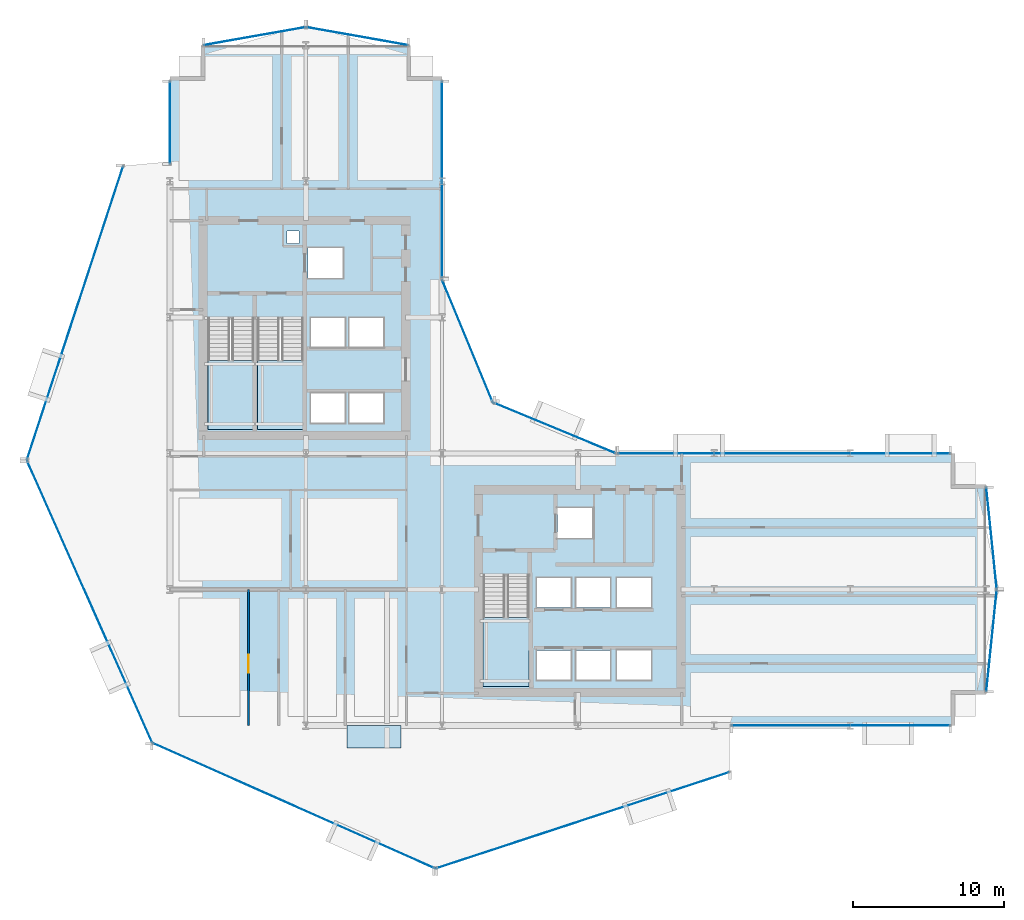
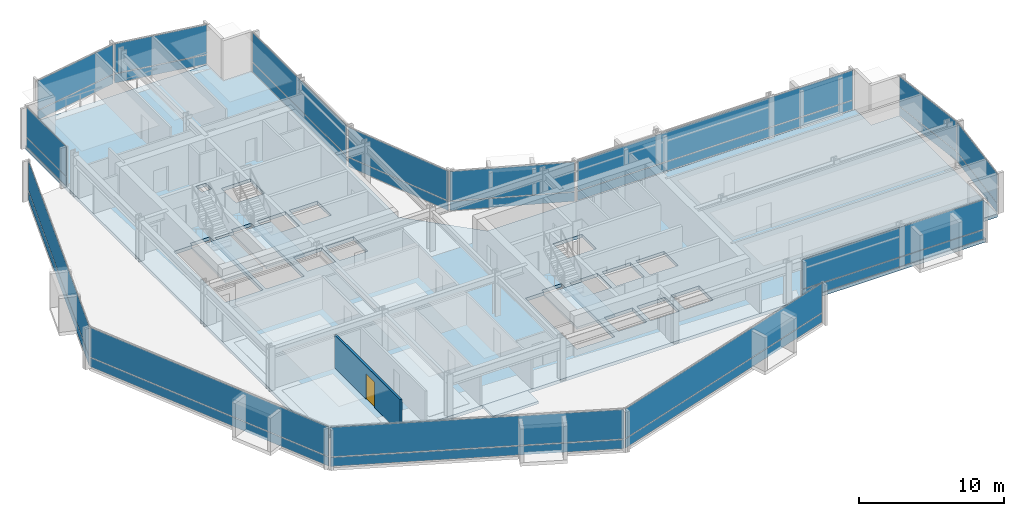
# One storey, part 26 of 34: 28 plates, 5 slabs, 1 door, 1 wall, 1 opening, 17 elements without a shape of their own.
"""IFC4 building model written with IfcOpenShell, lengths in metres."""

from ifc_helpers import new_model, si_unit, direction, frame, frame_2d, origin, origin_2d, place, context, subcontext, project, spatial, polyline, rectangle, outline, extrude, material, layer, layer_set, type_object, element, fill, aggregate, save


model = new_model("IFC4")

# Units and contexts
model_context = context("Model", 3, precision=1e-05, world=origin(), true_north=direction((0.0, 1.0)))
body_context = subcontext(model_context, "Body", "Model", "MODEL_VIEW")
ifc_project = project(units=[si_unit("LENGTHUNIT", "METRE"), si_unit("AREAUNIT", "SQUARE_METRE"), si_unit("VOLUMEUNIT", "CUBIC_METRE"), si_unit("PLANEANGLEUNIT", "RADIAN"), si_unit("MASSUNIT", "GRAM", prefix="KILO")], contexts=[model_context])

# Site, building, storey
site_placement = place(None, origin())
site = spatial("IfcSite", under=ifc_project, at=site_placement, CompositionType="ELEMENT")
building_placement = place(site_placement, origin())
building = spatial("IfcBuilding", under=site, at=building_placement, Name="Solvaryn Broadcast Tower", CompositionType="ELEMENT")
storey_placement = place(building_placement, frame((0.0, 0.0, 47.10009765625)))
storey = spatial("IfcBuildingStorey", under=building, at=storey_placement, Name="L10", CompositionType="ELEMENT", Elevation=47.10009765625)

# Curtain wall, plates
ifc_material_1 = material(Name="Aluminium and Terracotta Unitised Curtain Wall", Category="masonry")
ifc_layer_1 = layer(ifc_material_1, 0.199951171875)
ifc_layer_set_1 = layer_set([ifc_layer_1], Name="CW-SYS2-LOWMID")
curtain_wall_type_1 = type_object("IfcCurtainWallType", Name="CW-SYS2-LOWMID", PredefinedType="NOTDEFINED", material=ifc_layer_set_1)
curtain_wall_1_placement = place(storey_placement, origin())
curtain_wall_1 = element("IfcCurtainWall", 1, at=curtain_wall_1_placement, inside=storey, type_object=curtain_wall_type_1, Name="L10 Curtain Wall DR1", PredefinedType="NOTDEFINED")
ifc_material_2 = material(Name="Kiln-Fired Architectural Terracotta Spandrel", Category="masonry")
ifc_layer_2 = layer(ifc_material_2, 0.048095703125)
ifc_layer_set_2 = layer_set([ifc_layer_2], Name="CW-PNL-TERRACOTTA")
plate_type = type_object("IfcPlateType", Name="CW-PNL-TERRACOTTA", PredefinedType="CURTAIN_PANEL", material=ifc_layer_set_2)
plate_1_placement = place(storey_placement, frame((2.72607421875, 36.2880859375, 0.06005859375), z_axis=(0.0, 0.0, 1.0), x_axis=(-0.311594044587, -0.950215318429, 0.0)))
plate_1 = element("IfcPlate", 2, at=plate_1_placement, type_object=plate_type, Name="CWS2 panel 1.1", PredefinedType="CURTAIN_PANEL", context=body_context, shape_type="SweptSolid", body=[
    extrude(rectangle(XDim=20.35546875, YDim=0.028076171875, at=origin_2d()), origin(), (0.0, 0.0, 1.0), 0.760009765625),
])
plate_2_placement = place(storey_placement, frame((2.72607421875, 36.2880859375, 0.8798828125), z_axis=(0.0, 0.0, 1.0), x_axis=(-0.311594044587, -0.950215318429, 0.0)))
plate_2 = element("IfcPlate", 3, at=plate_2_placement, type_object=plate_type, Name="CWS2 panel 1.2", PredefinedType="CURTAIN_PANEL", context=body_context, shape_type="SweptSolid", body=[
    extrude(rectangle(XDim=20.35546875, YDim=0.028076171875, at=origin_2d()), origin(), (0.0, 0.0, 1.0), 2.47998046875),
])
aggregate(curtain_wall_1, [plate_1, plate_2])

ifc_material_3 = material(Name="Aluminium and Terracotta Unitised Curtain Wall", Category="masonry")
ifc_layer_3 = layer(ifc_material_3, 0.239990234375)
ifc_layer_set_3 = layer_set([ifc_layer_3], Name="CW-SYS3-BAYBOX")
curtain_wall_type_2 = type_object("IfcCurtainWallType", Name="CW-SYS3-BAYBOX", PredefinedType="NOTDEFINED", material=ifc_layer_set_3)
curtain_wall_2_placement = place(storey_placement, origin())
curtain_wall_2 = element("IfcCurtainWall", 4, at=curtain_wall_2_placement, inside=storey, type_object=curtain_wall_type_2, Name="L10 Curtain Wall DR2", PredefinedType="NOTDEFINED")
plate_3_placement = place(storey_placement, frame((3.69140625, 17.20361328125, 0.06005859375), z_axis=(0.0, 0.0, 1.0), x_axis=(0.405898286554, -0.913918257271, 0.0)))
plate_3 = element("IfcPlate", 5, at=plate_3_placement, type_object=plate_type, Name="CWS3 panel 1.1", PredefinedType="CURTAIN_PANEL", context=body_context, shape_type="SweptSolid", body=[
    extrude(rectangle(XDim=20.35546875, YDim=0.028076171875, at=origin_2d()), origin(), (0.0, 0.0, 1.0), 0.760009765625),
])
plate_4_placement = place(storey_placement, frame((3.69140625, 17.20361328125, 0.8798828125), z_axis=(0.0, 0.0, 1.0), x_axis=(0.405898286554, -0.913918257271, 0.0)))
plate_4 = element("IfcPlate", 6, at=plate_4_placement, type_object=plate_type, Name="CWS3 panel 1.2", PredefinedType="CURTAIN_PANEL", context=body_context, shape_type="SweptSolid", body=[
    extrude(rectangle(XDim=20.35546875, YDim=0.028076171875, at=origin_2d()), origin(), (0.0, 0.0, 1.0), 2.47998046875),
])
aggregate(curtain_wall_2, [plate_3, plate_4])

curtain_wall_3_placement = place(storey_placement, origin())
curtain_wall_3 = element("IfcCurtainWall", 7, at=curtain_wall_3_placement, inside=storey, type_object=curtain_wall_type_1, Name="L10 Curtain Wall DR3", PredefinedType="NOTDEFINED")
plate_5_placement = place(storey_placement, frame((17.20361328125, 3.69140625, 0.06005859375), z_axis=(0.0, 0.0, 1.0), x_axis=(0.913918257271, -0.405898286554, 0.0)))
plate_5 = element("IfcPlate", 8, at=plate_5_placement, type_object=plate_type, Name="CWS2 panel 1.1", PredefinedType="CURTAIN_PANEL", context=body_context, shape_type="SweptSolid", body=[
    extrude(rectangle(XDim=20.35546875, YDim=0.028076171875, at=origin_2d()), origin(), (0.0, 0.0, 1.0), 0.760009765625),
])
plate_6_placement = place(storey_placement, frame((17.20361328125, 3.69140625, 0.8798828125), z_axis=(0.0, 0.0, 1.0), x_axis=(0.913918257271, -0.405898286554, 0.0)))
plate_6 = element("IfcPlate", 9, at=plate_6_placement, type_object=plate_type, Name="CWS2 panel 1.2", PredefinedType="CURTAIN_PANEL", context=body_context, shape_type="SweptSolid", body=[
    extrude(rectangle(XDim=20.35546875, YDim=0.028076171875, at=origin_2d()), origin(), (0.0, 0.0, 1.0), 2.47998046875),
])
aggregate(curtain_wall_3, [plate_5, plate_6])

curtain_wall_4_placement = place(storey_placement, origin())
curtain_wall_4 = element("IfcCurtainWall", 10, at=curtain_wall_4_placement, inside=storey, type_object=curtain_wall_type_1, Name="L10 Curtain Wall DR4", PredefinedType="NOTDEFINED")
plate_7_placement = place(storey_placement, frame((36.2880859375, 2.72607421875, 0.06005859375), z_axis=(0.0, 0.0, 1.0), x_axis=(0.950215318429, 0.311594044587, 0.0)))
plate_7 = element("IfcPlate", 11, at=plate_7_placement, type_object=plate_type, Name="CWS2 panel 1.1", PredefinedType="CURTAIN_PANEL", context=body_context, shape_type="SweptSolid", body=[
    extrude(rectangle(XDim=20.35546875, YDim=0.028076171875, at=origin_2d()), origin(), (0.0, 0.0, 1.0), 0.760009765625),
])
plate_8_placement = place(storey_placement, frame((36.2880859375, 2.72607421875, 0.8798828125), z_axis=(0.0, 0.0, 1.0), x_axis=(0.950215318429, 0.311594044587, 0.0)))
plate_8 = element("IfcPlate", 12, at=plate_8_placement, type_object=plate_type, Name="CWS2 panel 1.2", PredefinedType="CURTAIN_PANEL", context=body_context, shape_type="SweptSolid", body=[
    extrude(rectangle(XDim=20.35546875, YDim=0.028076171875, at=origin_2d()), origin(), (0.0, 0.0, 1.0), 2.47998046875),
])
aggregate(curtain_wall_4, [plate_7, plate_8])

curtain_wall_5_placement = place(storey_placement, origin())
curtain_wall_5 = element("IfcCurtainWall", 13, at=curtain_wall_5_placement, inside=storey, type_object=curtain_wall_type_1, Name="L10 Curtain Wall W2", PredefinedType="NOTDEFINED")
plate_9_placement = place(storey_placement, frame((9.0, 48.883056640625, 0.06005859375), z_axis=(0.0, 0.0, 1.0), x_axis=(0.0, 1.0, 0.0)))
plate_9 = element("IfcPlate", 14, at=plate_9_placement, type_object=plate_type, Name="CWS2 panel 1.1", PredefinedType="CURTAIN_PANEL", context=body_context, shape_type="SweptSolid", body=[
    extrude(rectangle(XDim=5.4140625, YDim=0.028076171875, at=origin_2d()), origin(), (0.0, 0.0, 1.0), 0.760009765625),
])
plate_10_placement = place(storey_placement, frame((9.0, 48.883056640625, 0.8798828125), z_axis=(0.0, 0.0, 1.0), x_axis=(0.0, 1.0, 0.0)))
plate_10 = element("IfcPlate", 15, at=plate_10_placement, type_object=plate_type, Name="CWS2 panel 1.2", PredefinedType="CURTAIN_PANEL", context=body_context, shape_type="SweptSolid", body=[
    extrude(rectangle(XDim=5.4140625, YDim=0.028076171875, at=origin_2d()), origin(), (0.0, 0.0, 1.0), 2.47998046875),
])
aggregate(curtain_wall_5, [plate_9, plate_10])

curtain_wall_6_placement = place(storey_placement, origin())
curtain_wall_6 = element("IfcCurtainWall", 16, at=curtain_wall_6_placement, inside=storey, type_object=curtain_wall_type_1, Name="L10 Curtain Wall IV", PredefinedType="NOTDEFINED")
plate_11_placement = place(storey_placement, frame((27.0, 45.125, 0.06005859375), z_axis=(0.0, 0.0, 1.0), x_axis=(0.0, -1.0, 0.0)))
plate_11 = element("IfcPlate", 17, at=plate_11_placement, type_object=plate_type, Name="CWS2 panel 1.1", PredefinedType="CURTAIN_PANEL", context=body_context, shape_type="SweptSolid", body=[
    extrude(rectangle(XDim=12.929931640625, YDim=0.028076171875, at=origin_2d()), origin(), (0.0, 0.0, 1.0), 0.760009765625),
])
plate_12_placement = place(storey_placement, frame((27.0, 45.125, 0.8798828125), z_axis=(0.0, 0.0, 1.0), x_axis=(0.0, -1.0, 0.0)))
plate_12 = element("IfcPlate", 18, at=plate_12_placement, type_object=plate_type, Name="CWS2 panel 1.2", PredefinedType="CURTAIN_PANEL", context=body_context, shape_type="SweptSolid", body=[
    extrude(rectangle(XDim=12.929931640625, YDim=0.028076171875, at=origin_2d()), origin(), (0.0, 0.0, 1.0), 2.47998046875),
])
aggregate(curtain_wall_6, [plate_11, plate_12])

curtain_wall_7_placement = place(storey_placement, origin())
curtain_wall_7 = element("IfcCurtainWall", 19, at=curtain_wall_7_placement, inside=storey, type_object=curtain_wall_type_1, Name="L10 Curtain Wall CN1", PredefinedType="NOTDEFINED")
plate_13_placement = place(storey_placement, frame((34.43408203125, 28.68408203125, 0.06005859375), z_axis=(0.0, 0.0, 1.0), x_axis=(-0.923894983957, 0.382646127145, 0.0)))
plate_13 = element("IfcPlate", 20, at=plate_13_placement, type_object=plate_type, Name="CWS2 panel 1.1", PredefinedType="CURTAIN_PANEL", context=body_context, shape_type="SweptSolid", body=[
    extrude(rectangle(XDim=8.681884765625, YDim=0.028076171875, at=origin_2d()), origin(), (0.0, 0.0, 1.0), 0.760009765625),
])
plate_14_placement = place(storey_placement, frame((34.43408203125, 28.68408203125, 0.8798828125), z_axis=(0.0, 0.0, 1.0), x_axis=(-0.923894983957, 0.382646127145, 0.0)))
plate_14 = element("IfcPlate", 21, at=plate_14_placement, type_object=plate_type, Name="CWS2 panel 1.2", PredefinedType="CURTAIN_PANEL", context=body_context, shape_type="SweptSolid", body=[
    extrude(rectangle(XDim=8.681884765625, YDim=0.028076171875, at=origin_2d()), origin(), (0.0, 0.0, 1.0), 2.47998046875),
])
aggregate(curtain_wall_7, [plate_13, plate_14])

curtain_wall_8_placement = place(storey_placement, origin())
curtain_wall_8 = element("IfcCurtainWall", 22, at=curtain_wall_8_placement, inside=storey, type_object=curtain_wall_type_1, Name="L10 Curtain Wall CN2", PredefinedType="NOTDEFINED")
plate_15_placement = place(storey_placement, frame((28.68408203125, 34.43408203125, 0.06005859375), z_axis=(0.0, 0.0, 1.0), x_axis=(-0.382646127145, 0.923894983957, 0.0)))
plate_15 = element("IfcPlate", 23, at=plate_15_placement, type_object=plate_type, Name="CWS2 panel 1.1", PredefinedType="CURTAIN_PANEL", context=body_context, shape_type="SweptSolid", body=[
    extrude(rectangle(XDim=8.681884765625, YDim=0.028076171875, at=origin_2d()), origin(), (0.0, 0.0, 1.0), 0.760009765625),
])
plate_16_placement = place(storey_placement, frame((28.68408203125, 34.43408203125, 0.8798828125), z_axis=(0.0, 0.0, 1.0), x_axis=(-0.382646127145, 0.923894983957, 0.0)))
plate_16 = element("IfcPlate", 24, at=plate_16_placement, type_object=plate_type, Name="CWS2 panel 1.2", PredefinedType="CURTAIN_PANEL", context=body_context, shape_type="SweptSolid", body=[
    extrude(rectangle(XDim=8.681884765625, YDim=0.028076171875, at=origin_2d()), origin(), (0.0, 0.0, 1.0), 2.47998046875),
])
aggregate(curtain_wall_8, [plate_15, plate_16])

curtain_wall_9_placement = place(storey_placement, origin())
curtain_wall_9 = element("IfcCurtainWall", 25, at=curtain_wall_9_placement, inside=storey, type_object=curtain_wall_type_1, Name="L10 Curtain Wall S2", PredefinedType="NOTDEFINED")
plate_17_placement = place(storey_placement, frame((53.383056640625, 9.0, 0.06005859375), z_axis=(0.0, 0.0, 1.0), x_axis=(1.0, 0.0, 0.0)))
plate_17 = element("IfcPlate", 26, at=plate_17_placement, type_object=plate_type, Name="CWS2 panel 1.1", PredefinedType="CURTAIN_PANEL", context=body_context, shape_type="SweptSolid", body=[
    extrude(rectangle(XDim=14.4140625, YDim=0.028076171875, at=origin_2d()), origin(), (0.0, 0.0, 1.0), 0.760009765625),
])
plate_18_placement = place(storey_placement, frame((53.383056640625, 9.0, 0.8798828125), z_axis=(0.0, 0.0, 1.0), x_axis=(1.0, 0.0, 0.0)))
plate_18 = element("IfcPlate", 27, at=plate_18_placement, type_object=plate_type, Name="CWS2 panel 1.2", PredefinedType="CURTAIN_PANEL", context=body_context, shape_type="SweptSolid", body=[
    extrude(rectangle(XDim=14.4140625, YDim=0.028076171875, at=origin_2d()), origin(), (0.0, 0.0, 1.0), 2.47998046875),
])
aggregate(curtain_wall_9, [plate_17, plate_18])

curtain_wall_10_placement = place(storey_placement, origin())
curtain_wall_10 = element("IfcCurtainWall", 28, at=curtain_wall_10_placement, inside=storey, type_object=curtain_wall_type_1, Name="L10 Curtain Wall NT1", PredefinedType="NOTDEFINED")
plate_19_placement = place(storey_placement, frame((21.39990234375, 54.60009765625, 0.06005859375), z_axis=(0.0, 0.0, 1.0), x_axis=(-0.984783558819, 0.173785333901, 0.0)))
plate_19 = element("IfcPlate", 29, at=plate_19_placement, type_object=plate_type, Name="CWS2 panel 1.1", PredefinedType="CURTAIN_PANEL", context=body_context, shape_type="SweptSolid", body=[
    extrude(rectangle(XDim=6.78515625, YDim=0.028076171875, at=origin_2d()), origin(), (0.0, 0.0, 1.0), 0.760009765625),
])
plate_20_placement = place(storey_placement, frame((21.39990234375, 54.60009765625, 0.8798828125), z_axis=(0.0, 0.0, 1.0), x_axis=(-0.984783558819, 0.173785333901, 0.0)))
plate_20 = element("IfcPlate", 30, at=plate_20_placement, type_object=plate_type, Name="CWS2 panel 1.2", PredefinedType="CURTAIN_PANEL", context=body_context, shape_type="SweptSolid", body=[
    extrude(rectangle(XDim=6.78515625, YDim=0.028076171875, at=origin_2d()), origin(), (0.0, 0.0, 1.0), 2.47998046875),
])
aggregate(curtain_wall_10, [plate_19, plate_20])

curtain_wall_11_placement = place(storey_placement, origin())
curtain_wall_11 = element("IfcCurtainWall", 31, at=curtain_wall_11_placement, inside=storey, type_object=curtain_wall_type_1, Name="L10 Curtain Wall NT2", PredefinedType="NOTDEFINED")
plate_21_placement = place(storey_placement, frame((14.60009765625, 54.60009765625, 0.06005859375), z_axis=(0.0, 0.0, 1.0), x_axis=(-0.984783558819, -0.173785333901, 0.0)))
plate_21 = element("IfcPlate", 32, at=plate_21_placement, type_object=plate_type, Name="CWS2 panel 1.1", PredefinedType="CURTAIN_PANEL", context=body_context, shape_type="SweptSolid", body=[
    extrude(rectangle(XDim=6.78515625, YDim=0.028076171875, at=origin_2d()), origin(), (0.0, 0.0, 1.0), 0.760009765625),
])
plate_22_placement = place(storey_placement, frame((14.60009765625, 54.60009765625, 0.8798828125), z_axis=(0.0, 0.0, 1.0), x_axis=(-0.984783558819, -0.173785333901, 0.0)))
plate_22 = element("IfcPlate", 33, at=plate_22_placement, type_object=plate_type, Name="CWS2 panel 1.2", PredefinedType="CURTAIN_PANEL", context=body_context, shape_type="SweptSolid", body=[
    extrude(rectangle(XDim=6.78515625, YDim=0.028076171875, at=origin_2d()), origin(), (0.0, 0.0, 1.0), 2.47998046875),
])
aggregate(curtain_wall_11, [plate_21, plate_22])

curtain_wall_12_placement = place(storey_placement, origin())
curtain_wall_12 = element("IfcCurtainWall", 34, at=curtain_wall_12_placement, inside=storey, type_object=curtain_wall_type_1, Name="L10 Curtain Wall ET1", PredefinedType="NOTDEFINED")
plate_23_placement = place(storey_placement, frame((63.35009765625, 21.39990234375, 0.06005859375), z_axis=(0.0, 0.0, 1.0), x_axis=(0.10240004548, -0.99474329889, 0.0)))
plate_23 = element("IfcPlate", 35, at=plate_23_placement, type_object=plate_type, Name="CWS2 panel 1.1", PredefinedType="CURTAIN_PANEL", context=body_context, shape_type="SweptSolid", body=[
    extrude(rectangle(XDim=6.7158203125, YDim=0.028076171875, at=origin_2d()), origin(), (0.0, 0.0, 1.0), 0.760009765625),
])
plate_24_placement = place(storey_placement, frame((63.35009765625, 21.39990234375, 0.8798828125), z_axis=(0.0, 0.0, 1.0), x_axis=(0.10240004548, -0.99474329889, 0.0)))
plate_24 = element("IfcPlate", 36, at=plate_24_placement, type_object=plate_type, Name="CWS2 panel 1.2", PredefinedType="CURTAIN_PANEL", context=body_context, shape_type="SweptSolid", body=[
    extrude(rectangle(XDim=6.7158203125, YDim=0.028076171875, at=origin_2d()), origin(), (0.0, 0.0, 1.0), 2.47998046875),
])
aggregate(curtain_wall_12, [plate_23, plate_24])

curtain_wall_13_placement = place(storey_placement, origin())
curtain_wall_13 = element("IfcCurtainWall", 37, at=curtain_wall_13_placement, inside=storey, type_object=curtain_wall_type_1, Name="L10 Curtain Wall ET2", PredefinedType="NOTDEFINED")
plate_25_placement = place(storey_placement, frame((63.35009765625, 14.60009765625, 0.06005859375), z_axis=(0.0, 0.0, 1.0), x_axis=(-0.10240004548, -0.99474329889, 0.0)))
plate_25 = element("IfcPlate", 38, at=plate_25_placement, type_object=plate_type, Name="CWS2 panel 1.1", PredefinedType="CURTAIN_PANEL", context=body_context, shape_type="SweptSolid", body=[
    extrude(rectangle(XDim=6.7158203125, YDim=0.028076171875, at=origin_2d()), origin(), (0.0, 0.0, 1.0), 0.760009765625),
])
plate_26_placement = place(storey_placement, frame((63.35009765625, 14.60009765625, 0.8798828125), z_axis=(0.0, 0.0, 1.0), x_axis=(-0.10240004548, -0.99474329889, 0.0)))
plate_26 = element("IfcPlate", 39, at=plate_26_placement, type_object=plate_type, Name="CWS2 panel 1.2", PredefinedType="CURTAIN_PANEL", context=body_context, shape_type="SweptSolid", body=[
    extrude(rectangle(XDim=6.7158203125, YDim=0.028076171875, at=origin_2d()), origin(), (0.0, 0.0, 1.0), 2.47998046875),
])
aggregate(curtain_wall_13, [plate_25, plate_26])

curtain_wall_14_placement = place(storey_placement, origin())
curtain_wall_14 = element("IfcCurtainWall", 40, at=curtain_wall_14_placement, inside=storey, type_object=curtain_wall_type_1, Name="L10 Curtain Wall IH", PredefinedType="NOTDEFINED")
plate_27_placement = place(storey_placement, frame((49.625, 27.0, 0.06005859375), z_axis=(0.0, 0.0, 1.0), x_axis=(1.0, 0.0, 0.0)))
plate_27 = element("IfcPlate", 41, at=plate_27_placement, type_object=plate_type, Name="CWS2 panel 1.1", PredefinedType="CURTAIN_PANEL", context=body_context, shape_type="SweptSolid", body=[
    extrude(rectangle(XDim=21.929931640625, YDim=0.028076171875, at=origin_2d()), origin(), (0.0, 0.0, 1.0), 0.760009765625),
])
plate_28_placement = place(storey_placement, frame((49.625, 27.0, 0.8798828125), z_axis=(0.0, 0.0, 1.0), x_axis=(1.0, 0.0, 0.0)))
plate_28 = element("IfcPlate", 42, at=plate_28_placement, type_object=plate_type, Name="CWS2 panel 1.2", PredefinedType="CURTAIN_PANEL", context=body_context, shape_type="SweptSolid", body=[
    extrude(rectangle(XDim=21.929931640625, YDim=0.028076171875, at=origin_2d()), origin(), (0.0, 0.0, 1.0), 2.47998046875),
])
aggregate(curtain_wall_14, [plate_27, plate_28])

# Slab
ifc_material_4 = material(Name="Concrete f'c 60 MPa", Category="concrete")
ifc_layer_4 = layer(ifc_material_4, 0.2099609375)
ifc_layer_set_4 = layer_set([ifc_layer_4], Name="SL-BAYBOX-210")
slab_type_1 = type_object("IfcSlabType", Name="SL-BAYBOX-210", PredefinedType="FLOOR", material=ifc_layer_set_4)
slab_1_placement = place(storey_placement, frame((0.0, 0.0, -0.210205078125)))
element("IfcSlab", 43, at=slab_1_placement, inside=storey, type_object=slab_type_1, Name="L10 Projecting Bay-Box Slab 1", PredefinedType="FLOOR", context=body_context, shape_type="SweptSolid", body=[
    extrude(outline(polyline([(20.699951171875, 7.5), (24.300048828125, 7.5), (24.300048828125, 9.0), (20.699951171875, 9.0), (20.699951171875, 7.5)])), origin(), (0.0, 0.0, 1.0), 0.210205078125),
])

# Stair, slab
ifc_material_5 = material(Name="Concrete f'c 60 MPa", Category="concrete")
stair_type = type_object("IfcStairType", Name="ST-CORE", PredefinedType="HALF_TURN_STAIR", material=ifc_material_5)
stair_1_placement = place(storey_placement, origin())
stair_1 = element("IfcStair", 44, at=stair_1_placement, inside=storey, type_object=stair_type, Name="L10 ST1", PredefinedType="HALF_TURN_STAIR")
ifc_material_6 = material(Name="Concrete f'c 60 MPa", Category="concrete")
ifc_layer_5 = layer(ifc_material_6, 0.199951171875)
ifc_layer_set_5 = layer_set([ifc_layer_5], Name="SL-LANDING-200")
slab_type_2 = type_object("IfcSlabType", Name="SL-LANDING-200", PredefinedType="LANDING", material=ifc_layer_set_5)
slab_2_placement = place(storey_placement, frame((0.0, 0.0, 1.64990234375)))
slab_2 = element("IfcSlab", 45, at=slab_2_placement, type_object=slab_type_2, Name="ST1 landing 1", PredefinedType="LANDING", context=body_context, shape_type="SweptSolid", body=[
    extrude(outline(polyline([(11.52001953125, 33.159912109375), (11.52001953125, 28.60009765625), (14.550048828125, 28.60009765625), (14.550048828125, 33.159912109375), (11.52001953125, 33.159912109375)])), origin(), (0.0, 0.0, 1.0), 0.199951171875),
])
aggregate(stair_1, [slab_2])

stair_2_placement = place(storey_placement, origin())
stair_2 = element("IfcStair", 46, at=stair_2_placement, inside=storey, type_object=stair_type, Name="L10 ST2", PredefinedType="HALF_TURN_STAIR")
slab_3_placement = place(storey_placement, frame((0.0, 0.0, 1.64990234375)))
slab_3 = element("IfcSlab", 47, at=slab_3_placement, type_object=slab_type_2, Name="ST2 landing 1", PredefinedType="LANDING", context=body_context, shape_type="SweptSolid", body=[
    extrude(outline(polyline([(14.800048828125, 33.159912109375), (14.800048828125, 28.60009765625), (17.830078125, 28.60009765625), (17.830078125, 33.159912109375), (14.800048828125, 33.159912109375)])), origin(), (0.0, 0.0, 1.0), 0.199951171875),
])
aggregate(stair_2, [slab_3])

stair_3_placement = place(storey_placement, origin())
stair_3 = element("IfcStair", 48, at=stair_3_placement, inside=storey, type_object=stair_type, Name="L10 ST3", PredefinedType="HALF_TURN_STAIR")
slab_4_placement = place(storey_placement, frame((0.0, 0.0, 1.64990234375)))
slab_4 = element("IfcSlab", 49, at=slab_4_placement, type_object=slab_type_2, Name="ST3 landing 1", PredefinedType="LANDING", context=body_context, shape_type="SweptSolid", body=[
    extrude(outline(polyline([(29.719970703125, 16.159912109375), (29.719970703125, 11.60009765625), (32.75, 11.60009765625), (32.75, 16.159912109375), (29.719970703125, 16.159912109375)])), origin(), (0.0, 0.0, 1.0), 0.199951171875),
])
aggregate(stair_3, [slab_4])

# Slab
ifc_material_7 = material(Name="Concrete f'c 60 MPa", Category="concrete")
ifc_layer_6 = layer(ifc_material_7, 0.280029296875)
ifc_layer_set_6 = layer_set([ifc_layer_6], Name="SL-TWR-280")
slab_type_3 = type_object("IfcSlabType", Name="SL-TWR-280", PredefinedType="FLOOR", material=ifc_layer_set_6)
slab_5_placement = place(storey_placement, frame((0.0, 0.0, -0.280029296875)))
element("IfcSlab", 50, at=slab_5_placement, inside=storey, type_object=slab_type_3, Name="L10 Structural Floor Slab", PredefinedType="FLOOR", context=body_context, shape_type="SweptSolid", body=[
    extrude(outline(polyline([(11.199951171875, 9.0), (60.800048828125, 9.0), (60.800048828125, 11.199951171875), (63.0, 11.199951171875), (63.0, 24.800048828125), (60.800048828125, 24.800048828125), (60.800048828125, 27.0), (31.5, 27.0), (27.0, 31.5), (27.0, 51.800048828125), (24.800048828125, 51.800048828125), (24.800048828125, 54.0), (11.199951171875, 54.0), (11.199951171875, 51.800048828125), (9.0, 51.800048828125), (9.0, 11.199951171875), (11.199951171875, 11.199951171875), (11.199951171875, 9.0)]), holes=[polyline([(11.52001953125, 28.60009765625), (14.550048828125, 28.60009765625), (14.550048828125, 35.9599609375), (12.97998046875, 35.9599609375), (12.97998046875, 35.679931640625), (11.52001953125, 35.679931640625), (11.52001953125, 28.60009765625)]), polyline([(14.800048828125, 28.60009765625), (17.830078125, 28.60009765625), (17.830078125, 35.9599609375), (16.260009765625, 35.9599609375), (16.260009765625, 35.679931640625), (14.800048828125, 35.679931640625), (14.800048828125, 28.60009765625)]), polyline([(29.719970703125, 11.60009765625), (32.75, 11.60009765625), (32.75, 18.9599609375), (31.179931640625, 18.9599609375), (31.179931640625, 18.679931640625), (29.719970703125, 18.679931640625), (29.719970703125, 11.60009765625)]), polyline([(18.14990234375, 38.60009765625), (20.449951171875, 38.60009765625), (20.449951171875, 40.60009765625), (18.14990234375, 40.60009765625), (18.14990234375, 38.60009765625)]), polyline([(18.324951171875, 29.02490234375), (20.574951171875, 29.02490234375), (20.574951171875, 30.97509765625), (18.324951171875, 30.97509765625), (18.324951171875, 29.02490234375)]), polyline([(20.875, 29.02490234375), (23.125, 29.02490234375), (23.125, 30.97509765625), (20.875, 30.97509765625), (20.875, 29.02490234375)]), polyline([(18.324951171875, 34.02490234375), (20.574951171875, 34.02490234375), (20.574951171875, 35.97509765625), (18.324951171875, 35.97509765625), (18.324951171875, 34.02490234375)]), polyline([(20.875, 34.02490234375), (23.125, 34.02490234375), (23.125, 35.97509765625), (20.875, 35.97509765625), (20.875, 34.02490234375)]), polyline([(34.64990234375, 21.39990234375), (36.949951171875, 21.39990234375), (36.949951171875, 23.39990234375), (34.64990234375, 23.39990234375), (34.64990234375, 21.39990234375)]), polyline([(33.27490234375, 12.02490234375), (35.52490234375, 12.02490234375), (35.52490234375, 13.97509765625), (33.27490234375, 13.97509765625), (33.27490234375, 12.02490234375)]), polyline([(35.875, 12.02490234375), (38.125, 12.02490234375), (38.125, 13.97509765625), (35.875, 13.97509765625), (35.875, 12.02490234375)]), polyline([(33.27490234375, 16.824951171875), (35.52490234375, 16.824951171875), (35.52490234375, 18.77490234375), (33.27490234375, 18.77490234375), (33.27490234375, 16.824951171875)]), polyline([(35.875, 16.824951171875), (38.125, 16.824951171875), (38.125, 18.77490234375), (35.875, 18.77490234375), (35.875, 16.824951171875)]), polyline([(38.574951171875, 12.02490234375), (40.824951171875, 12.02490234375), (40.824951171875, 13.97509765625), (38.574951171875, 13.97509765625), (38.574951171875, 12.02490234375)]), polyline([(38.574951171875, 16.824951171875), (40.824951171875, 16.824951171875), (40.824951171875, 18.77490234375), (38.574951171875, 18.77490234375), (38.574951171875, 16.824951171875)]), polyline([(16.75, 40.89990234375), (17.550048828125, 40.89990234375), (17.550048828125, 41.699951171875), (16.75, 41.699951171875), (16.75, 40.89990234375)])]), origin(), (0.0, 0.0, 1.0), 0.280029296875),
])

# Wall, opening, door
ifc_material_8 = material(Name="Metal-Stud Gypsum Office Partition")
ifc_layer_7 = layer(ifc_material_8, 0.159912109375)
ifc_layer_set_7 = layer_set([ifc_layer_7], Name="IW-PART-160")
wall_type = type_object("IfcWallType", Name="IW-PART-160", PredefinedType="PARTITIONING", material=ifc_layer_set_7)
wall_placement = place(storey_placement, frame((14.199951171875, 9.0, 0.0), z_axis=(0.0, 0.0, 1.0), x_axis=(0.0, 1.0, 0.0)))
wall = element("IfcWall", 51, at=wall_placement, inside=storey, type_object=wall_type, Name="L10 Interior Partition IW-L10-SWS-V1", PredefinedType="PARTITIONING", context=body_context, shape_type="SweptSolid", body=[
    extrude(rectangle(XDim=9.0, YDim=0.159912109375, at=frame_2d((4.5, 0.0))), origin(), (0.0, 0.0, 1.0), 2.788818359375),
])
opening_placement = place(wall_placement, frame((3.5, 0.0, 0.0)))
opening = element("IfcOpeningElement", 52, at=opening_placement, cuts=wall, Name="Opening ID04", PredefinedType="OPENING", context=body_context, shape_type="SweptSolid", body=[
    extrude(rectangle(XDim=1.199951171875, YDim=2.14990234375, at=frame_2d((0.60009765625, 1.074951171875))), frame((0.0, 0.090087890625, 0.0), z_axis=(0.0, -1.0, 0.0), x_axis=(1.0, 0.0, 0.0)), (0.0, 0.0, 1.0), 0.179931640625),
])
ifc_material_9 = material(Name="Flush Acoustic Steel and Timber Door Assembly", Category="steel")
door_type = type_object("IfcDoorType", Name="ID-04-1200X2150", OperationType="NOTDEFINED", PredefinedType="DOOR", material=ifc_material_9)
door_placement = place(opening_placement, origin())
door = element("IfcDoor", 53, at=door_placement, inside=storey, type_object=door_type, Name="L10 Door DR-L10-SWS-1", OperationType="SINGLE_SWING_LEFT", OverallHeight=2.14990234375, OverallWidth=1.199951171875, PredefinedType="DOOR", context=body_context, shape_type="SweptSolid", body=[
    extrude(rectangle(XDim=1.199951171875, YDim=2.14990234375, at=frame_2d((0.60009765625, 1.074951171875))), frame((0.0, 0.02490234375, 0.0), z_axis=(0.0, -1.0, 0.0), x_axis=(1.0, 0.0, 0.0)), (0.0, 0.0, 1.0), 0.050048828125),
])
fill(opening, door)

save(model, "model.ifc")
